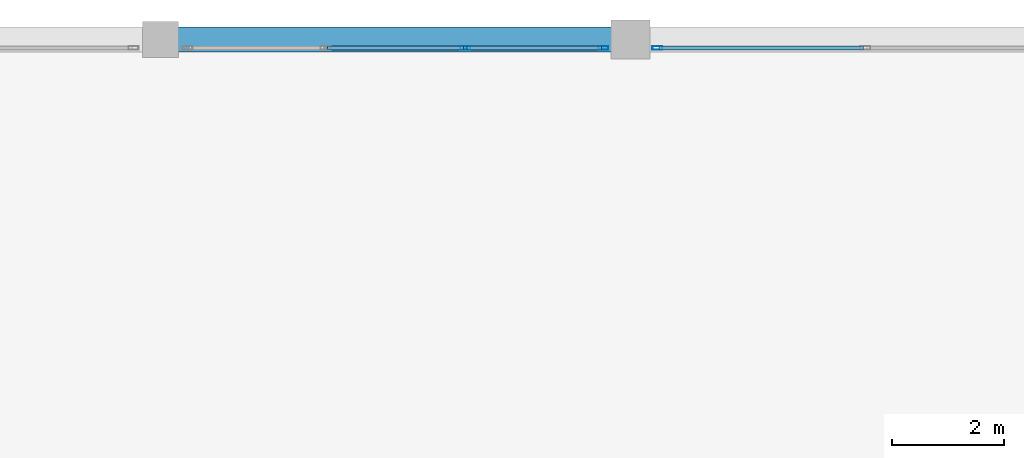
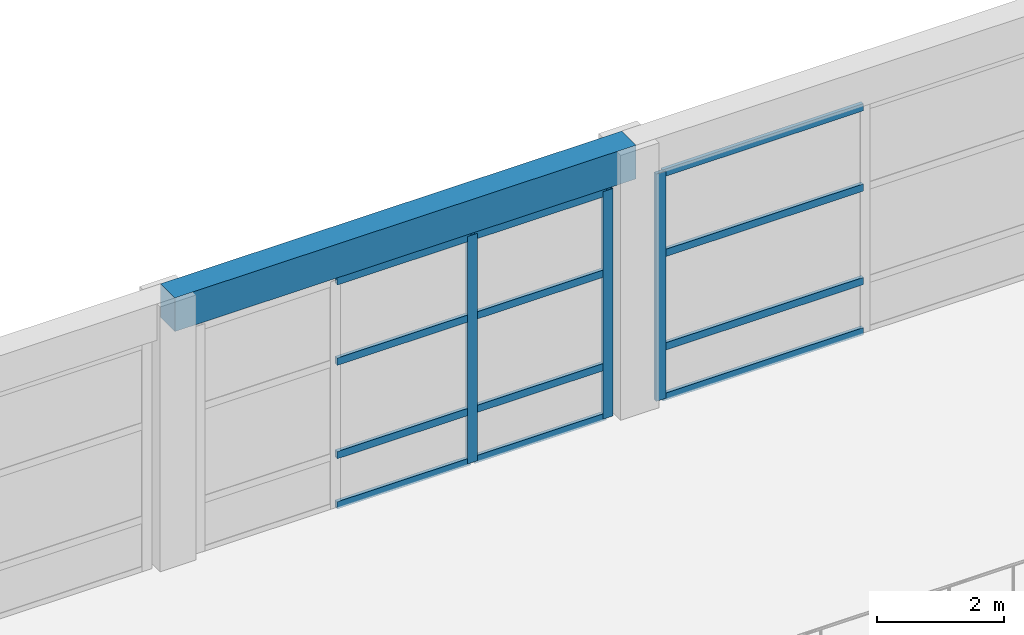
# One storey, part 27 of 65: 15 members, 1 beam, 2 elements without a shape of their own.
"""IFC4 building model written with IfcOpenShell, lengths in metres."""

import ifcopenshell
import ifcopenshell.guid

model = None  # the IFC model being written
_history = None  # IfcOwnerHistory: only IFC2X3 demands one
_inside = {}  # id of a spatial element -> (the spatial element, [elements in it])
_under = {}  # id of a project, library or spatial element -> (it, [spatial elements below it])
_declared = {}  # id of a project -> (the project, [libraries it declares])
_typed = {}  # id of a type object -> (the type object, [elements of that type])
_made_of = {}  # id of a material, layer set ... -> (it, [elements and type objects made of it])


def new_model(schema):
    """Start an empty IFC model of exactly this schema.

    Asked for "IFC4X3", IfcOpenShell would pick the latest addendum, in which some entities
    have other attributes; the version numbers below select the first issue.
    IFC2X3 requires an IfcOwnerHistory on every rooted entity: one is made here for all.
    """
    global model, _history
    if schema == "IFC4X3":
        model = ifcopenshell.file(schema_version=(4, 3, 0, 0))
    else:
        model = ifcopenshell.file(schema=schema)
    _inside.clear()
    _under.clear()
    _declared.clear()
    _typed.clear()
    _made_of.clear()
    _history = None
    if model.schema == "IFC2X3":
        org = make("IfcOrganization", Name="unknown")
        user = make(
            "IfcPersonAndOrganization",
            ThePerson=make("IfcPerson", FamilyName="unknown"),
            TheOrganization=org,
        )
        app = make(
            "IfcApplication",
            ApplicationDeveloper=org,
            Version="unknown",
            ApplicationFullName="unknown",
            ApplicationIdentifier="unknown",
        )
        _history = make(
            "IfcOwnerHistory",
            OwningUser=user,
            OwningApplication=app,
            ChangeAction="ADDED",
            CreationDate=0,
        )
    return model


def make(cls, **values):
    """One entity of the class cls with the attributes given. An attribute that is None is left unset."""
    return model.create_entity(
        cls, **{name: value for name, value in values.items() if value is not None}
    )


def rooted(cls, **values):
    """An entity with a GlobalId (a new one), such as an element, a storey or a relation."""
    return make(cls, GlobalId=ifcopenshell.guid.new(), OwnerHistory=_history, **values)


def si_unit(unit_type, name, prefix=None):
    """IfcSIUnit, for example si_unit("LENGTHUNIT", "METRE", prefix="MILLI")."""
    return make("IfcSIUnit", UnitType=unit_type, Prefix=prefix, Name=name)


def assignment(units):
    """IfcUnitAssignment: the units of a project."""
    return None if units is None else make("IfcUnitAssignment", Units=units)


def point(xyz):
    """IfcCartesianPoint."""
    return None if xyz is None else make("IfcCartesianPoint", Coordinates=xyz)


def direction(xyz):
    """IfcDirection."""
    return None if xyz is None else make("IfcDirection", DirectionRatios=xyz)


def frame(location, z_axis=None, x_axis=None):
    """IfcAxis2Placement3D, a coordinate frame: its origin and axes. An axis left out is left unset."""
    return make(
        "IfcAxis2Placement3D",
        Location=point(location),
        Axis=direction(z_axis),
        RefDirection=direction(x_axis),
    )


def frame_2d(location, x_axis=None):
    """IfcAxis2Placement2D, a coordinate frame in the plane: its origin and x axis."""
    return make(
        "IfcAxis2Placement2D", Location=point(location), RefDirection=direction(x_axis)
    )


def origin():
    """The frame at (0, 0, 0) with its axes left unset."""
    return frame((0.0, 0.0, 0.0))


def origin_2d():
    """The frame at (0, 0) in the plane with its x axis left unset."""
    return frame_2d((0.0, 0.0))


def place(relative_to, where):
    """IfcLocalPlacement: puts the frame where relative to a parent placement (None: the world)."""
    return make(
        "IfcLocalPlacement", PlacementRelTo=relative_to, RelativePlacement=where
    )


def context(
    kind, dimensions, precision=None, world=None, true_north=None, identifier=None
):
    """IfcGeometricRepresentationContext, for example the 3D "Model" context."""
    return make(
        "IfcGeometricRepresentationContext",
        ContextIdentifier=identifier,
        ContextType=kind,
        CoordinateSpaceDimension=dimensions,
        Precision=precision,
        WorldCoordinateSystem=world,
        TrueNorth=true_north,
    )


def subcontext(parent, identifier, kind, view, scale=None):
    """IfcGeometricRepresentationSubContext, for example "Body" below "Model"."""
    return make(
        "IfcGeometricRepresentationSubContext",
        ContextIdentifier=identifier,
        ContextType=kind,
        ParentContext=parent,
        TargetScale=scale,
        TargetView=view,
    )


def project(units=None, contexts=None):
    """IfcProject with its units and contexts."""
    return rooted(
        "IfcProject",
        Name="project",
        RepresentationContexts=contexts,
        UnitsInContext=assignment(units),
    )


def spatial(cls, under=None, at=None, **own):
    """A site, building, storey or space (cls), placed at a placement, below another one or the project."""
    s = rooted(cls, ObjectPlacement=at, **own)
    if under is not None:
        _under.setdefault(under.id(), (under, []))[1].append(s)
    return s


def profile(cls, at=None, kind="AREA", **sizes):
    """A parametric profile (cls). Its sizes go by their IFC names, for example OverallWidth=200.0."""
    return make(cls, ProfileType=kind, Position=at, **sizes)


def rectangle(**sizes):
    """IfcRectangleProfileDef."""
    return profile("IfcRectangleProfileDef", **sizes)


def hollow_rectangle(**sizes):
    """IfcRectangleHollowProfileDef."""
    return profile("IfcRectangleHollowProfileDef", **sizes)


def extrude(swept, where, along, depth):
    """IfcExtrudedAreaSolid: the profile swept, set in the frame where, extruded along a direction by depth."""
    return make(
        "IfcExtrudedAreaSolid",
        SweptArea=swept,
        Position=where,
        ExtrudedDirection=direction(along),
        Depth=depth,
    )


def shape(context_of_items, identifier, shape_type, items):
    """IfcShapeRepresentation: the items that make up one representation, for example the "Body"."""
    return make(
        "IfcShapeRepresentation",
        ContextOfItems=context_of_items,
        RepresentationIdentifier=identifier,
        RepresentationType=shape_type,
        Items=items,
    )


def material(Name=None, Category=None):
    """IfcMaterial."""
    return make("IfcMaterial", Name=Name, Category=Category)


def material_profile(
    of_material, cross_section, Name=None, Category=None, Priority=None
):
    """IfcMaterialProfile: a cross section and its material."""
    return make(
        "IfcMaterialProfile",
        Name=Name,
        Material=of_material,
        Profile=cross_section,
        Priority=Priority,
        Category=Category,
    )


def profile_set(profiles, Name=None, composite=None):
    """IfcMaterialProfileSet."""
    return make(
        "IfcMaterialProfileSet",
        Name=Name,
        MaterialProfiles=profiles,
        CompositeProfile=composite,
    )


def made_of(thing, what):
    """Note that an element or type object is made of a material, layer set ...; save() writes the relation."""
    if what is not None:
        _made_of.setdefault(what.id(), (what, []))[1].append(thing)
    return thing


def type_object(cls, material=None, **own):
    """A type object (cls), such as IfcWallType, which elements share."""
    return made_of(rooted(cls, **own), material)


def element(
    cls,
    number,
    at=None,
    inside=None,
    cuts=None,
    type_object=None,
    material=None,
    context=None,
    identifier="Body",
    shape_type=None,
    held_by="IfcProductDefinitionShape",
    body=None,
    shapes=None,
    **own,
):
    """One element of the class cls, such as IfcWall. Its Tag is "e" and its number.

    at: its placement. inside: the storey or other place that contains it. cuts: it is an
    opening in that element (IfcRelVoidsElement). A single representation is given by context,
    identifier, shape_type and body (its items); several are given by shapes. held_by: the class
    of the entity that holds the representations. save() writes the other relations.
    """
    e = rooted(cls, Tag="e%d" % number, ObjectPlacement=at, **own)
    if body is not None:
        shapes = [shape(context, identifier, shape_type, body)]
    if shapes is not None:
        e.Representation = make(held_by, Representations=shapes)
    if inside is not None:
        _inside.setdefault(inside.id(), (inside, []))[1].append(e)
    if cuts is not None:
        rooted(
            "IfcRelVoidsElement", RelatingBuildingElement=cuts, RelatedOpeningElement=e
        )
    if type_object is not None:
        _typed.setdefault(type_object.id(), (type_object, []))[1].append(e)
    return made_of(e, material)


def aggregate(whole, parts):
    """IfcRelAggregates: a whole, such as a stair, and the parts it consists of."""
    return rooted("IfcRelAggregates", RelatingObject=whole, RelatedObjects=parts)


def save(model, path):
    """Write the relations noted so far, then the file.

    IfcRelAggregates (storeys below a building ...), IfcRelContainedInSpatialStructure (elements
    in a storey), IfcRelDefinesByType, IfcRelAssociatesMaterial and IfcRelDeclares: one each for
    every whole, place, type object, material and project.
    """
    for whole, parts in _under.values():
        aggregate(whole, parts)
    for where, things in _inside.values():
        rooted(
            "IfcRelContainedInSpatialStructure",
            RelatedElements=things,
            RelatingStructure=where,
        )
    for kind, things in _typed.values():
        rooted("IfcRelDefinesByType", RelatedObjects=things, RelatingType=kind)
    for what, things in _made_of.values():
        rooted("IfcRelAssociatesMaterial", RelatedObjects=things, RelatingMaterial=what)
    for by, libraries in _declared.values():
        rooted("IfcRelDeclares", RelatingContext=by, RelatedDefinitions=libraries)
    model.write(path)


model = new_model("IFC4")

# Units and contexts
model_context = context("Model", 3, precision=1e-05, world=origin(), true_north=direction((0.0, 1.0)))
body_context = subcontext(model_context, "Body", "Model", "MODEL_VIEW")
ifc_project = project(units=[si_unit("LENGTHUNIT", "METRE"), si_unit("AREAUNIT", "SQUARE_METRE"), si_unit("VOLUMEUNIT", "CUBIC_METRE"), si_unit("PLANEANGLEUNIT", "RADIAN"), si_unit("MASSUNIT", "GRAM", prefix="KILO")], contexts=[model_context])

# Site, building, storey
site_placement = place(None, origin())
site = spatial("IfcSite", under=ifc_project, at=site_placement, CompositionType="ELEMENT")
building_placement = place(site_placement, origin())
building = spatial("IfcBuilding", under=site, at=building_placement, Name="Almacenes y Pasaje Nevantli", CompositionType="ELEMENT")
storey_placement = place(building_placement, frame((0.0, 0.0, 16.800048828125)))
storey = spatial("IfcBuildingStorey", under=building, at=storey_placement, Name="L04", CompositionType="ELEMENT", Elevation=16.800048828125)

# Beam
ifc_material_1 = material(Name="Concrete C35/45", Category="concrete")
ifc_material_profile_1 = material_profile(ifc_material_1, rectangle(XDim=0.449951171875, YDim=0.64990234375, at=origin_2d()), Name="RC-BM-450x650")
ifc_profile_set_1 = profile_set([ifc_material_profile_1], Name="Concrete C35/45")
beam_type = type_object("IfcBeamType", Name="BM-RC-450x650", PredefinedType="SPANDREL", material=ifc_profile_set_1)
beam_placement = place(storey_placement, frame((75.60009765625, 117.60009765625, 4.77490234375), z_axis=(1.0, 0.0, 0.0), x_axis=(0.0, 1.0, 0.0)))
element("IfcBeam", 1, at=beam_placement, inside=storey, type_object=beam_type, Name="L04 East-West Reinforced Concrete Beam #2982", PredefinedType="SPANDREL", context=body_context, shape_type="SweptSolid", body=[
    extrude(rectangle(XDim=0.449951171875, YDim=0.64990234375, at=origin_2d()), origin(), (0.0, 0.0, 1.0), 8.39990234375),
])

# Curtain wall, members
ifc_material_2 = material(Name="Thermally Broken Aluminium and Low-E Glass", Category="aluminium")
curtain_wall_type = type_object("IfcCurtainWallType", Name="CW-STF-ARCADE", PredefinedType="USERDEFINED", material=ifc_material_2)
curtain_wall_1_placement = place(storey_placement, origin())
curtain_wall_1 = element("IfcCurtainWall", 2, at=curtain_wall_1_placement, inside=storey, type_object=curtain_wall_type, Name="L04 North Arcade Monumental Portal Curtain Wall Bay 10", ObjectType="STOREFRONT GLAZING", PredefinedType="USERDEFINED")
ifc_material_3 = material(Name="Thermally Broken Anodized Aluminium", Category="aluminium")
ifc_material_profile_2 = material_profile(ifc_material_3, hollow_rectangle(XDim=0.06494140625, YDim=0.179931640625, WallThickness=0.00390625, at=origin_2d()), Name="ALU-MUL-65x180")
ifc_profile_set_2 = profile_set([ifc_material_profile_2], Name="Thermally Broken Anodized Aluminium")
member_type_1 = type_object("IfcMemberType", Name="CW-MUL-200", PredefinedType="MULLION", material=ifc_profile_set_2)
member_1_placement = place(storey_placement, frame((81.050048828125, 117.449951171875, 0.0), z_axis=(0.0, 0.0, 1.0), x_axis=(0.0, 1.0, 0.0)))
member_1 = element("IfcMember", 3, at=member_1_placement, type_object=member_type_1, Name="CW-L04-068 mullion 3", PredefinedType="MULLION", context=body_context, shape_type="SweptSolid", body=[
    extrude(hollow_rectangle(XDim=0.06494140625, YDim=0.179931640625, WallThickness=0.00390625, at=origin_2d()), origin(), (0.0, 0.0, 1.0), 4.3798828125),
])
member_2_placement = place(storey_placement, frame((83.517578125, 117.449951171875, 0.0), z_axis=(0.0, 0.0, 1.0), x_axis=(0.0, 1.0, 0.0)))
member_2 = element("IfcMember", 4, at=member_2_placement, type_object=member_type_1, Name="CW-L04-068 mullion 4", PredefinedType="MULLION", context=body_context, shape_type="SweptSolid", body=[
    extrude(hollow_rectangle(XDim=0.06494140625, YDim=0.179931640625, WallThickness=0.00390625, at=origin_2d()), origin(), (0.0, 0.0, 1.0), 4.3798828125),
])

# Curtain wall, member
curtain_wall_2_placement = place(storey_placement, origin())
curtain_wall_2 = element("IfcCurtainWall", 5, at=curtain_wall_2_placement, inside=storey, type_object=curtain_wall_type, Name="L04 North Arcade Monumental Portal Curtain Wall Bay 11", ObjectType="STOREFRONT GLAZING", PredefinedType="USERDEFINED")
member_3_placement = place(storey_placement, frame((84.482421875, 117.449951171875, 0.0), z_axis=(0.0, 0.0, 1.0), x_axis=(0.0, 1.0, 0.0)))
member_3 = element("IfcMember", 6, at=member_3_placement, type_object=member_type_1, Name="CW-L04-069 mullion 1", PredefinedType="MULLION", context=body_context, shape_type="SweptSolid", body=[
    extrude(hollow_rectangle(XDim=0.06494140625, YDim=0.179931640625, WallThickness=0.00390625, at=origin_2d()), origin(), (0.0, 0.0, 1.0), 4.3798828125),
])

# Member
ifc_material_4 = material(Name="Thermally Broken Anodized Aluminium", Category="aluminium")
ifc_material_profile_3 = material_profile(ifc_material_4, hollow_rectangle(XDim=0.06494140625, YDim=0.139892578125, WallThickness=0.00390625, at=origin_2d()), Name="ALU-TRN-65x140")
ifc_profile_set_3 = profile_set([ifc_material_profile_3], Name="Thermally Broken Anodized Aluminium")
member_type_2 = type_object("IfcMemberType", Name="CW-TRN-150", PredefinedType="USERDEFINED", material=ifc_profile_set_3)
member_4_placement = place(storey_placement, frame((78.58251953125, 117.449951171875, 0.032470703125), z_axis=(1.0, 0.0, 0.0), x_axis=(0.0, 1.0, 0.0)))
member_4 = element("IfcMember", 7, at=member_4_placement, type_object=member_type_2, Name="CW-L04-068 transom 2.1", ObjectType="TRANSOM", PredefinedType="USERDEFINED", context=body_context, shape_type="SweptSolid", body=[
    extrude(hollow_rectangle(XDim=0.06494140625, YDim=0.139892578125, WallThickness=0.00390625, at=origin_2d()), origin(), (0.0, 0.0, 1.0), 2.43505859375),
])

member_5_placement = place(storey_placement, frame((78.58251953125, 117.449951171875, 1.0), z_axis=(1.0, 0.0, 0.0), x_axis=(0.0, 1.0, 0.0)))
member_5 = element("IfcMember", 8, at=member_5_placement, type_object=member_type_2, Name="CW-L04-068 transom 2.2", ObjectType="TRANSOM", PredefinedType="USERDEFINED", context=body_context, shape_type="SweptSolid", body=[
    extrude(hollow_rectangle(XDim=0.06494140625, YDim=0.139892578125, WallThickness=0.00390625, at=origin_2d()), origin(), (0.0, 0.0, 1.0), 2.43505859375),
])

member_6_placement = place(storey_placement, frame((78.58251953125, 117.449951171875, 2.800048828125), z_axis=(1.0, 0.0, 0.0), x_axis=(0.0, 1.0, 0.0)))
member_6 = element("IfcMember", 9, at=member_6_placement, type_object=member_type_2, Name="CW-L04-068 transom 2.3", ObjectType="TRANSOM", PredefinedType="USERDEFINED", context=body_context, shape_type="SweptSolid", body=[
    extrude(hollow_rectangle(XDim=0.06494140625, YDim=0.139892578125, WallThickness=0.00390625, at=origin_2d()), origin(), (0.0, 0.0, 1.0), 2.43505859375),
])

member_7_placement = place(storey_placement, frame((78.58251953125, 117.449951171875, 4.347412109375), z_axis=(1.0, 0.0, 0.0), x_axis=(0.0, 1.0, 0.0)))
member_7 = element("IfcMember", 10, at=member_7_placement, type_object=member_type_2, Name="CW-L04-068 transom 2.4", ObjectType="TRANSOM", PredefinedType="USERDEFINED", context=body_context, shape_type="SweptSolid", body=[
    extrude(hollow_rectangle(XDim=0.06494140625, YDim=0.139892578125, WallThickness=0.00390625, at=origin_2d()), origin(), (0.0, 0.0, 1.0), 2.43505859375),
])

member_8_placement = place(storey_placement, frame((81.08251953125, 117.449951171875, 0.032470703125), z_axis=(1.0, 0.0, 0.0), x_axis=(0.0, 1.0, 0.0)))
member_8 = element("IfcMember", 11, at=member_8_placement, type_object=member_type_2, Name="CW-L04-068 transom 3.1", ObjectType="TRANSOM", PredefinedType="USERDEFINED", context=body_context, shape_type="SweptSolid", body=[
    extrude(hollow_rectangle(XDim=0.06494140625, YDim=0.139892578125, WallThickness=0.00390625, at=origin_2d()), origin(), (0.0, 0.0, 1.0), 2.402587890625),
])

member_9_placement = place(storey_placement, frame((81.08251953125, 117.449951171875, 1.0), z_axis=(1.0, 0.0, 0.0), x_axis=(0.0, 1.0, 0.0)))
member_9 = element("IfcMember", 12, at=member_9_placement, type_object=member_type_2, Name="CW-L04-068 transom 3.2", ObjectType="TRANSOM", PredefinedType="USERDEFINED", context=body_context, shape_type="SweptSolid", body=[
    extrude(hollow_rectangle(XDim=0.06494140625, YDim=0.139892578125, WallThickness=0.00390625, at=origin_2d()), origin(), (0.0, 0.0, 1.0), 2.402587890625),
])

member_10_placement = place(storey_placement, frame((81.08251953125, 117.449951171875, 2.800048828125), z_axis=(1.0, 0.0, 0.0), x_axis=(0.0, 1.0, 0.0)))
member_10 = element("IfcMember", 13, at=member_10_placement, type_object=member_type_2, Name="CW-L04-068 transom 3.3", ObjectType="TRANSOM", PredefinedType="USERDEFINED", context=body_context, shape_type="SweptSolid", body=[
    extrude(hollow_rectangle(XDim=0.06494140625, YDim=0.139892578125, WallThickness=0.00390625, at=origin_2d()), origin(), (0.0, 0.0, 1.0), 2.402587890625),
])

member_11_placement = place(storey_placement, frame((81.08251953125, 117.449951171875, 4.347412109375), z_axis=(1.0, 0.0, 0.0), x_axis=(0.0, 1.0, 0.0)))
member_11 = element("IfcMember", 14, at=member_11_placement, type_object=member_type_2, Name="CW-L04-068 transom 3.4", ObjectType="TRANSOM", PredefinedType="USERDEFINED", context=body_context, shape_type="SweptSolid", body=[
    extrude(hollow_rectangle(XDim=0.06494140625, YDim=0.139892578125, WallThickness=0.00390625, at=origin_2d()), origin(), (0.0, 0.0, 1.0), 2.402587890625),
])

aggregate(curtain_wall_1, [member_1, member_2, member_4, member_5, member_6, member_7, member_8, member_9, member_10, member_11])

member_12_placement = place(storey_placement, frame((84.514892578125, 117.449951171875, 0.032470703125), z_axis=(1.0, 0.0, 0.0), x_axis=(0.0, 1.0, 0.0)))
member_12 = element("IfcMember", 15, at=member_12_placement, type_object=member_type_2, Name="CW-L04-069 transom 1.1", ObjectType="TRANSOM", PredefinedType="USERDEFINED", context=body_context, shape_type="SweptSolid", body=[
    extrude(hollow_rectangle(XDim=0.06494140625, YDim=0.139892578125, WallThickness=0.00390625, at=origin_2d()), origin(), (0.0, 0.0, 1.0), 3.652587890625),
])

member_13_placement = place(storey_placement, frame((84.514892578125, 117.449951171875, 1.0), z_axis=(1.0, 0.0, 0.0), x_axis=(0.0, 1.0, 0.0)))
member_13 = element("IfcMember", 16, at=member_13_placement, type_object=member_type_2, Name="CW-L04-069 transom 1.2", ObjectType="TRANSOM", PredefinedType="USERDEFINED", context=body_context, shape_type="SweptSolid", body=[
    extrude(hollow_rectangle(XDim=0.06494140625, YDim=0.139892578125, WallThickness=0.00390625, at=origin_2d()), origin(), (0.0, 0.0, 1.0), 3.652587890625),
])

member_14_placement = place(storey_placement, frame((84.514892578125, 117.449951171875, 2.800048828125), z_axis=(1.0, 0.0, 0.0), x_axis=(0.0, 1.0, 0.0)))
member_14 = element("IfcMember", 17, at=member_14_placement, type_object=member_type_2, Name="CW-L04-069 transom 1.3", ObjectType="TRANSOM", PredefinedType="USERDEFINED", context=body_context, shape_type="SweptSolid", body=[
    extrude(hollow_rectangle(XDim=0.06494140625, YDim=0.139892578125, WallThickness=0.00390625, at=origin_2d()), origin(), (0.0, 0.0, 1.0), 3.652587890625),
])

member_15_placement = place(storey_placement, frame((84.514892578125, 117.449951171875, 4.347412109375), z_axis=(1.0, 0.0, 0.0), x_axis=(0.0, 1.0, 0.0)))
member_15 = element("IfcMember", 18, at=member_15_placement, type_object=member_type_2, Name="CW-L04-069 transom 1.4", ObjectType="TRANSOM", PredefinedType="USERDEFINED", context=body_context, shape_type="SweptSolid", body=[
    extrude(hollow_rectangle(XDim=0.06494140625, YDim=0.139892578125, WallThickness=0.00390625, at=origin_2d()), origin(), (0.0, 0.0, 1.0), 3.652587890625),
])

aggregate(curtain_wall_2, [member_3, member_12, member_13, member_14, member_15])

save(model, "model.ifc")
